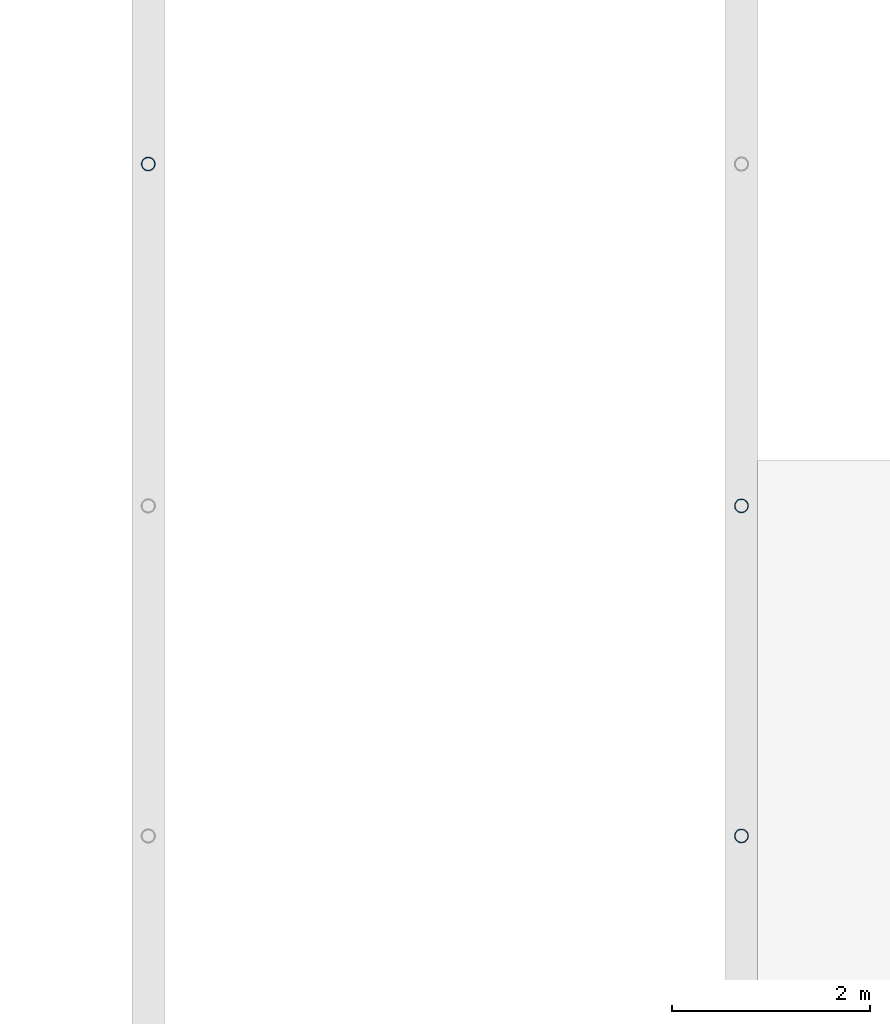
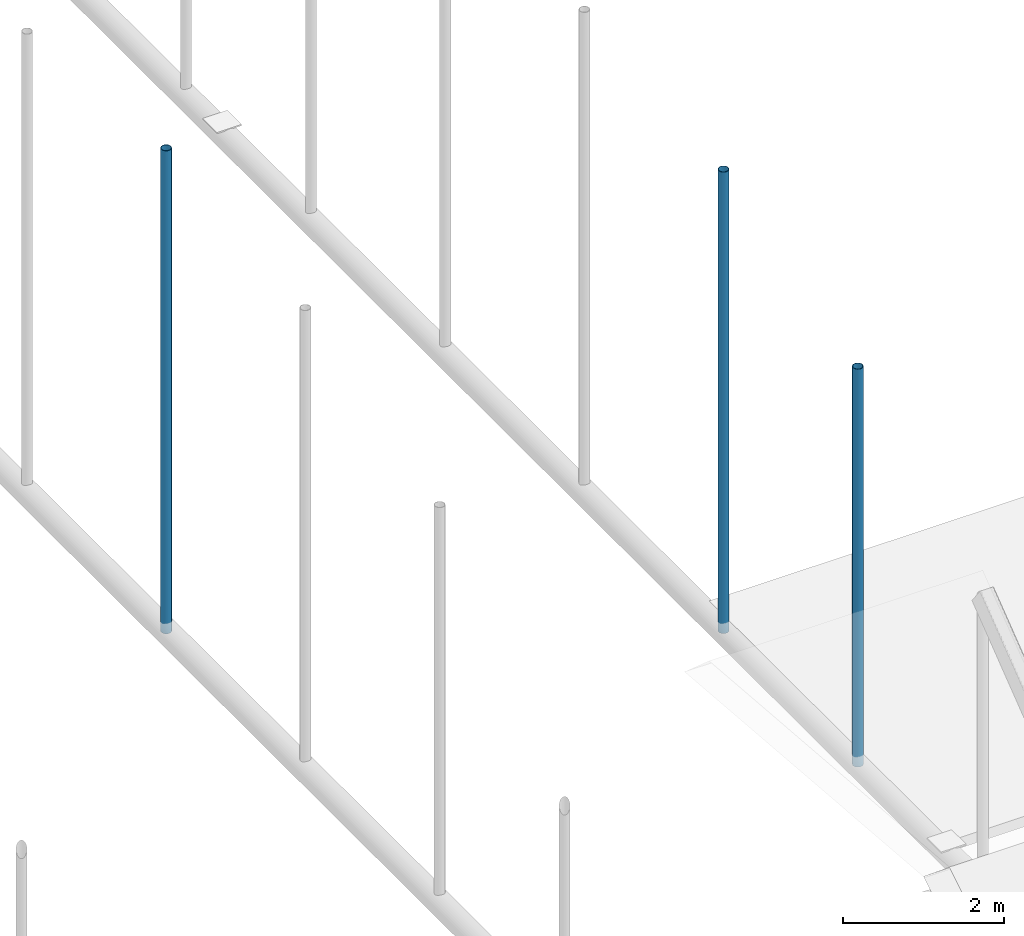
# One storey, part 54 of 116: 3 members.
"""IFC4 building model written with IfcOpenShell, lengths in metres."""

import ifcopenshell
import ifcopenshell.guid

model = None  # the IFC model being written
_history = None  # IfcOwnerHistory: only IFC2X3 demands one
_inside = {}  # id of a spatial element -> (the spatial element, [elements in it])
_under = {}  # id of a project, library or spatial element -> (it, [spatial elements below it])
_declared = {}  # id of a project -> (the project, [libraries it declares])
_typed = {}  # id of a type object -> (the type object, [elements of that type])
_made_of = {}  # id of a material, layer set ... -> (it, [elements and type objects made of it])


def new_model(schema):
    """Start an empty IFC model of exactly this schema.

    Asked for "IFC4X3", IfcOpenShell would pick the latest addendum, in which some entities
    have other attributes; the version numbers below select the first issue.
    IFC2X3 requires an IfcOwnerHistory on every rooted entity: one is made here for all.
    """
    global model, _history
    if schema == "IFC4X3":
        model = ifcopenshell.file(schema_version=(4, 3, 0, 0))
    else:
        model = ifcopenshell.file(schema=schema)
    _inside.clear()
    _under.clear()
    _declared.clear()
    _typed.clear()
    _made_of.clear()
    _history = None
    if model.schema == "IFC2X3":
        org = make("IfcOrganization", Name="unknown")
        user = make(
            "IfcPersonAndOrganization",
            ThePerson=make("IfcPerson", FamilyName="unknown"),
            TheOrganization=org,
        )
        app = make(
            "IfcApplication",
            ApplicationDeveloper=org,
            Version="unknown",
            ApplicationFullName="unknown",
            ApplicationIdentifier="unknown",
        )
        _history = make(
            "IfcOwnerHistory",
            OwningUser=user,
            OwningApplication=app,
            ChangeAction="ADDED",
            CreationDate=0,
        )
    return model


def make(cls, **values):
    """One entity of the class cls with the attributes given. An attribute that is None is left unset."""
    return model.create_entity(
        cls, **{name: value for name, value in values.items() if value is not None}
    )


def rooted(cls, **values):
    """An entity with a GlobalId (a new one), such as an element, a storey or a relation."""
    return make(cls, GlobalId=ifcopenshell.guid.new(), OwnerHistory=_history, **values)


def si_unit(unit_type, name, prefix=None):
    """IfcSIUnit, for example si_unit("LENGTHUNIT", "METRE", prefix="MILLI")."""
    return make("IfcSIUnit", UnitType=unit_type, Prefix=prefix, Name=name)


def assignment(units):
    """IfcUnitAssignment: the units of a project."""
    return None if units is None else make("IfcUnitAssignment", Units=units)


def point(xyz):
    """IfcCartesianPoint."""
    return None if xyz is None else make("IfcCartesianPoint", Coordinates=xyz)


def direction(xyz):
    """IfcDirection."""
    return None if xyz is None else make("IfcDirection", DirectionRatios=xyz)


def frame(location, z_axis=None, x_axis=None):
    """IfcAxis2Placement3D, a coordinate frame: its origin and axes. An axis left out is left unset."""
    return make(
        "IfcAxis2Placement3D",
        Location=point(location),
        Axis=direction(z_axis),
        RefDirection=direction(x_axis),
    )


def frame_2d(location, x_axis=None):
    """IfcAxis2Placement2D, a coordinate frame in the plane: its origin and x axis."""
    return make(
        "IfcAxis2Placement2D", Location=point(location), RefDirection=direction(x_axis)
    )


def origin():
    """The frame at (0, 0, 0) with its axes left unset."""
    return frame((0.0, 0.0, 0.0))


def origin_2d():
    """The frame at (0, 0) in the plane with its x axis left unset."""
    return frame_2d((0.0, 0.0))


def place(relative_to, where):
    """IfcLocalPlacement: puts the frame where relative to a parent placement (None: the world)."""
    return make(
        "IfcLocalPlacement", PlacementRelTo=relative_to, RelativePlacement=where
    )


def context(
    kind, dimensions, precision=None, world=None, true_north=None, identifier=None
):
    """IfcGeometricRepresentationContext, for example the 3D "Model" context."""
    return make(
        "IfcGeometricRepresentationContext",
        ContextIdentifier=identifier,
        ContextType=kind,
        CoordinateSpaceDimension=dimensions,
        Precision=precision,
        WorldCoordinateSystem=world,
        TrueNorth=true_north,
    )


def subcontext(parent, identifier, kind, view, scale=None):
    """IfcGeometricRepresentationSubContext, for example "Body" below "Model"."""
    return make(
        "IfcGeometricRepresentationSubContext",
        ContextIdentifier=identifier,
        ContextType=kind,
        ParentContext=parent,
        TargetScale=scale,
        TargetView=view,
    )


def project(units=None, contexts=None):
    """IfcProject with its units and contexts."""
    return rooted(
        "IfcProject",
        Name="project",
        RepresentationContexts=contexts,
        UnitsInContext=assignment(units),
    )


def spatial(cls, under=None, at=None, **own):
    """A site, building, storey or space (cls), placed at a placement, below another one or the project."""
    s = rooted(cls, ObjectPlacement=at, **own)
    if under is not None:
        _under.setdefault(under.id(), (under, []))[1].append(s)
    return s


def profile(cls, at=None, kind="AREA", **sizes):
    """A parametric profile (cls). Its sizes go by their IFC names, for example OverallWidth=200.0."""
    return make(cls, ProfileType=kind, Position=at, **sizes)


def hollow_circle(**sizes):
    """IfcCircleHollowProfileDef."""
    return profile("IfcCircleHollowProfileDef", **sizes)


def extrude(swept, where, along, depth):
    """IfcExtrudedAreaSolid: the profile swept, set in the frame where, extruded along a direction by depth."""
    return make(
        "IfcExtrudedAreaSolid",
        SweptArea=swept,
        Position=where,
        ExtrudedDirection=direction(along),
        Depth=depth,
    )


def shape(context_of_items, identifier, shape_type, items):
    """IfcShapeRepresentation: the items that make up one representation, for example the "Body"."""
    return make(
        "IfcShapeRepresentation",
        ContextOfItems=context_of_items,
        RepresentationIdentifier=identifier,
        RepresentationType=shape_type,
        Items=items,
    )


def material(Name=None, Category=None):
    """IfcMaterial."""
    return make("IfcMaterial", Name=Name, Category=Category)


def material_profile(
    of_material, cross_section, Name=None, Category=None, Priority=None
):
    """IfcMaterialProfile: a cross section and its material."""
    return make(
        "IfcMaterialProfile",
        Name=Name,
        Material=of_material,
        Profile=cross_section,
        Priority=Priority,
        Category=Category,
    )


def profile_set(profiles, Name=None, composite=None):
    """IfcMaterialProfileSet."""
    return make(
        "IfcMaterialProfileSet",
        Name=Name,
        MaterialProfiles=profiles,
        CompositeProfile=composite,
    )


def made_of(thing, what):
    """Note that an element or type object is made of a material, layer set ...; save() writes the relation."""
    if what is not None:
        _made_of.setdefault(what.id(), (what, []))[1].append(thing)
    return thing


def type_object(cls, material=None, **own):
    """A type object (cls), such as IfcWallType, which elements share."""
    return made_of(rooted(cls, **own), material)


def element(
    cls,
    number,
    at=None,
    inside=None,
    cuts=None,
    type_object=None,
    material=None,
    context=None,
    identifier="Body",
    shape_type=None,
    held_by="IfcProductDefinitionShape",
    body=None,
    shapes=None,
    **own,
):
    """One element of the class cls, such as IfcWall. Its Tag is "e" and its number.

    at: its placement. inside: the storey or other place that contains it. cuts: it is an
    opening in that element (IfcRelVoidsElement). A single representation is given by context,
    identifier, shape_type and body (its items); several are given by shapes. held_by: the class
    of the entity that holds the representations. save() writes the other relations.
    """
    e = rooted(cls, Tag="e%d" % number, ObjectPlacement=at, **own)
    if body is not None:
        shapes = [shape(context, identifier, shape_type, body)]
    if shapes is not None:
        e.Representation = make(held_by, Representations=shapes)
    if inside is not None:
        _inside.setdefault(inside.id(), (inside, []))[1].append(e)
    if cuts is not None:
        rooted(
            "IfcRelVoidsElement", RelatingBuildingElement=cuts, RelatedOpeningElement=e
        )
    if type_object is not None:
        _typed.setdefault(type_object.id(), (type_object, []))[1].append(e)
    return made_of(e, material)


def aggregate(whole, parts):
    """IfcRelAggregates: a whole, such as a stair, and the parts it consists of."""
    return rooted("IfcRelAggregates", RelatingObject=whole, RelatedObjects=parts)


def save(model, path):
    """Write the relations noted so far, then the file.

    IfcRelAggregates (storeys below a building ...), IfcRelContainedInSpatialStructure (elements
    in a storey), IfcRelDefinesByType, IfcRelAssociatesMaterial and IfcRelDeclares: one each for
    every whole, place, type object, material and project.
    """
    for whole, parts in _under.values():
        aggregate(whole, parts)
    for where, things in _inside.values():
        rooted(
            "IfcRelContainedInSpatialStructure",
            RelatedElements=things,
            RelatingStructure=where,
        )
    for kind, things in _typed.values():
        rooted("IfcRelDefinesByType", RelatedObjects=things, RelatingType=kind)
    for what, things in _made_of.values():
        rooted("IfcRelAssociatesMaterial", RelatedObjects=things, RelatingMaterial=what)
    for by, libraries in _declared.values():
        rooted("IfcRelDeclares", RelatingContext=by, RelatedDefinitions=libraries)
    model.write(path)


model = new_model("IFC4")

# Units and contexts
model_context = context("Model", 3, precision=1e-05, world=origin(), true_north=direction((0.0, 1.0)))
body_context = subcontext(model_context, "Body", "Model", "MODEL_VIEW")
ifc_project = project(units=[si_unit("LENGTHUNIT", "METRE"), si_unit("AREAUNIT", "SQUARE_METRE"), si_unit("VOLUMEUNIT", "CUBIC_METRE"), si_unit("PLANEANGLEUNIT", "RADIAN"), si_unit("MASSUNIT", "GRAM", prefix="KILO")], contexts=[model_context])

# Site, building, storey
site_placement = place(None, origin())
site = spatial("IfcSite", under=ifc_project, at=site_placement, CompositionType="ELEMENT")
building_placement = place(site_placement, origin())
building = spatial("IfcBuilding", under=site, at=building_placement, Name="Varnakota Square Police Headquarters", CompositionType="ELEMENT")
storey_placement = place(building_placement, frame((0.0, 0.0, 9.300048828125)))
storey = spatial("IfcBuildingStorey", under=building, at=storey_placement, Name="L02", CompositionType="ELEMENT", Elevation=9.300048828125)

# Members
ifc_material = material(Name="Steel IS 2062 Grade 350", Category="steel")
ifc_material_profile = material_profile(ifc_material, hollow_circle(Radius=0.06982421875, WallThickness=0.006103515625, at=origin_2d()), Name="CHS 139.7x6.0")
ifc_profile_set = profile_set([ifc_material_profile], Name="Steel IS 2062 Grade 350")
member_type = type_object("IfcMemberType", Name="MEM-HNG-CHS139", PredefinedType="STRUT", material=ifc_profile_set)
member_1_placement = place(storey_placement, frame((90.0, 24.0, -0.150146484375), z_axis=(0.0, 0.0, 1.0), x_axis=(1.0, 0.0, 0.0)))
element("IfcMember", 1, at=member_1_placement, inside=storey, type_object=member_type, Name="Barrel vault hanger strut V1-R07-N5", PredefinedType="STRUT", context=body_context, shape_type="SweptSolid", body=[
    extrude(hollow_circle(Radius=0.06982421875, WallThickness=0.006103515625, at=origin_2d()), origin(), (0.0, 0.0, 1.0), 7.326416015625),
])
member_2_placement = place(storey_placement, frame((96.0, 17.20361328125, -0.150146484375), z_axis=(0.0, 0.0, 1.0), x_axis=(1.0, 0.0, 0.0)))
element("IfcMember", 2, at=member_2_placement, inside=storey, type_object=member_type, Name="Barrel vault hanger strut V1-R08-N3", PredefinedType="STRUT", context=body_context, shape_type="SweptSolid", body=[
    extrude(hollow_circle(Radius=0.06982421875, WallThickness=0.006103515625, at=origin_2d()), origin(), (0.0, 0.0, 1.0), 6.035400390625),
])
member_3_placement = place(storey_placement, frame((96.0, 20.54248046875, -0.150146484375), z_axis=(0.0, 0.0, 1.0), x_axis=(1.0, 0.0, 0.0)))
element("IfcMember", 3, at=member_3_placement, inside=storey, type_object=member_type, Name="Barrel vault hanger strut V1-R08-N4", PredefinedType="STRUT", context=body_context, shape_type="SweptSolid", body=[
    extrude(hollow_circle(Radius=0.06982421875, WallThickness=0.006103515625, at=origin_2d()), origin(), (0.0, 0.0, 1.0), 7.0),
])

save(model, "model.ifc")
